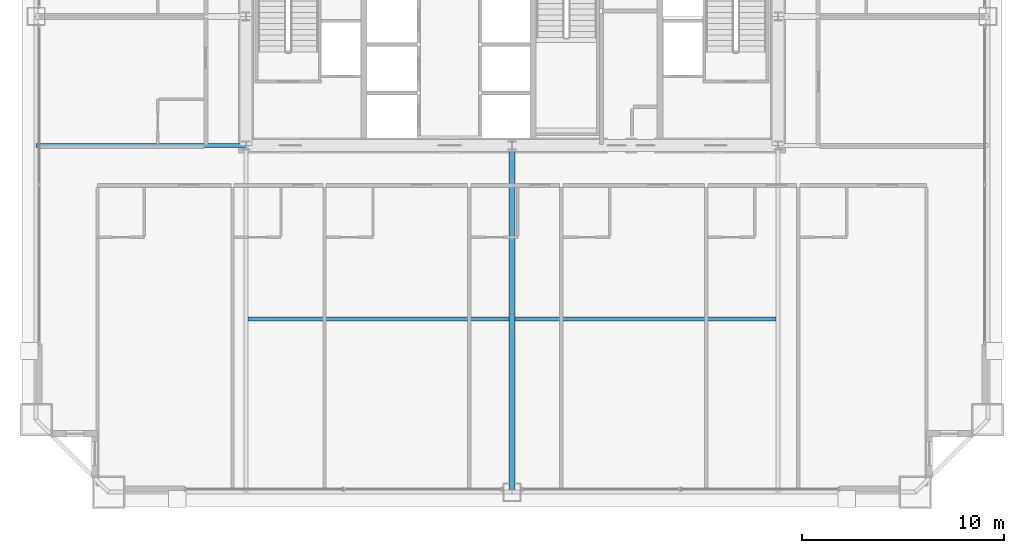
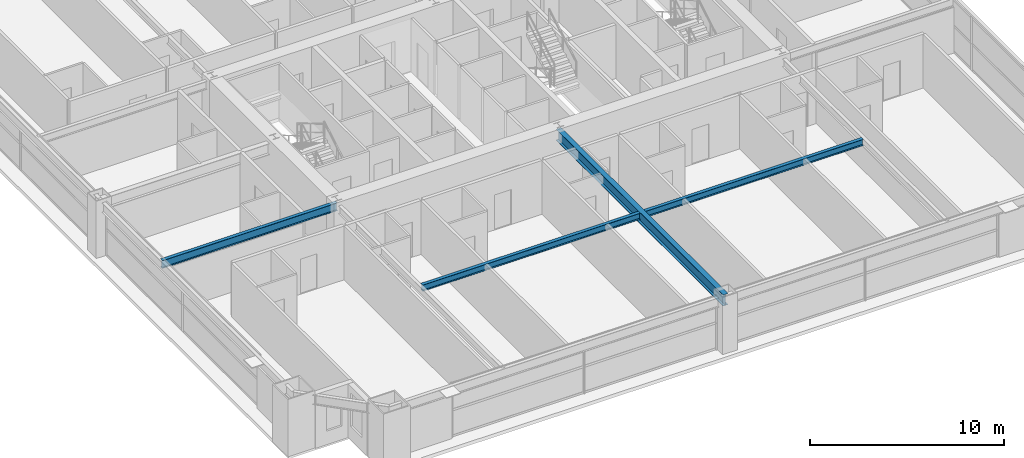
# One storey, part 10 of 38: 4 beams.
"""IFC4 building model written with IfcOpenShell, lengths in metres."""

import ifcopenshell
import ifcopenshell.guid

model = None  # the IFC model being written
_history = None  # IfcOwnerHistory: only IFC2X3 demands one
_inside = {}  # id of a spatial element -> (the spatial element, [elements in it])
_under = {}  # id of a project, library or spatial element -> (it, [spatial elements below it])
_declared = {}  # id of a project -> (the project, [libraries it declares])
_typed = {}  # id of a type object -> (the type object, [elements of that type])
_made_of = {}  # id of a material, layer set ... -> (it, [elements and type objects made of it])


def new_model(schema):
    """Start an empty IFC model of exactly this schema.

    Asked for "IFC4X3", IfcOpenShell would pick the latest addendum, in which some entities
    have other attributes; the version numbers below select the first issue.
    IFC2X3 requires an IfcOwnerHistory on every rooted entity: one is made here for all.
    """
    global model, _history
    if schema == "IFC4X3":
        model = ifcopenshell.file(schema_version=(4, 3, 0, 0))
    else:
        model = ifcopenshell.file(schema=schema)
    _inside.clear()
    _under.clear()
    _declared.clear()
    _typed.clear()
    _made_of.clear()
    _history = None
    if model.schema == "IFC2X3":
        org = make("IfcOrganization", Name="unknown")
        user = make(
            "IfcPersonAndOrganization",
            ThePerson=make("IfcPerson", FamilyName="unknown"),
            TheOrganization=org,
        )
        app = make(
            "IfcApplication",
            ApplicationDeveloper=org,
            Version="unknown",
            ApplicationFullName="unknown",
            ApplicationIdentifier="unknown",
        )
        _history = make(
            "IfcOwnerHistory",
            OwningUser=user,
            OwningApplication=app,
            ChangeAction="ADDED",
            CreationDate=0,
        )
    return model


def make(cls, **values):
    """One entity of the class cls with the attributes given. An attribute that is None is left unset."""
    return model.create_entity(
        cls, **{name: value for name, value in values.items() if value is not None}
    )


def rooted(cls, **values):
    """An entity with a GlobalId (a new one), such as an element, a storey or a relation."""
    return make(cls, GlobalId=ifcopenshell.guid.new(), OwnerHistory=_history, **values)


def si_unit(unit_type, name, prefix=None):
    """IfcSIUnit, for example si_unit("LENGTHUNIT", "METRE", prefix="MILLI")."""
    return make("IfcSIUnit", UnitType=unit_type, Prefix=prefix, Name=name)


def assignment(units):
    """IfcUnitAssignment: the units of a project."""
    return None if units is None else make("IfcUnitAssignment", Units=units)


def point(xyz):
    """IfcCartesianPoint."""
    return None if xyz is None else make("IfcCartesianPoint", Coordinates=xyz)


def direction(xyz):
    """IfcDirection."""
    return None if xyz is None else make("IfcDirection", DirectionRatios=xyz)


def frame(location, z_axis=None, x_axis=None):
    """IfcAxis2Placement3D, a coordinate frame: its origin and axes. An axis left out is left unset."""
    return make(
        "IfcAxis2Placement3D",
        Location=point(location),
        Axis=direction(z_axis),
        RefDirection=direction(x_axis),
    )


def frame_2d(location, x_axis=None):
    """IfcAxis2Placement2D, a coordinate frame in the plane: its origin and x axis."""
    return make(
        "IfcAxis2Placement2D", Location=point(location), RefDirection=direction(x_axis)
    )


def origin():
    """The frame at (0, 0, 0) with its axes left unset."""
    return frame((0.0, 0.0, 0.0))


def origin_2d():
    """The frame at (0, 0) in the plane with its x axis left unset."""
    return frame_2d((0.0, 0.0))


def place(relative_to, where):
    """IfcLocalPlacement: puts the frame where relative to a parent placement (None: the world)."""
    return make(
        "IfcLocalPlacement", PlacementRelTo=relative_to, RelativePlacement=where
    )


def context(
    kind, dimensions, precision=None, world=None, true_north=None, identifier=None
):
    """IfcGeometricRepresentationContext, for example the 3D "Model" context."""
    return make(
        "IfcGeometricRepresentationContext",
        ContextIdentifier=identifier,
        ContextType=kind,
        CoordinateSpaceDimension=dimensions,
        Precision=precision,
        WorldCoordinateSystem=world,
        TrueNorth=true_north,
    )


def subcontext(parent, identifier, kind, view, scale=None):
    """IfcGeometricRepresentationSubContext, for example "Body" below "Model"."""
    return make(
        "IfcGeometricRepresentationSubContext",
        ContextIdentifier=identifier,
        ContextType=kind,
        ParentContext=parent,
        TargetScale=scale,
        TargetView=view,
    )


def project(units=None, contexts=None):
    """IfcProject with its units and contexts."""
    return rooted(
        "IfcProject",
        Name="project",
        RepresentationContexts=contexts,
        UnitsInContext=assignment(units),
    )


def spatial(cls, under=None, at=None, **own):
    """A site, building, storey or space (cls), placed at a placement, below another one or the project."""
    s = rooted(cls, ObjectPlacement=at, **own)
    if under is not None:
        _under.setdefault(under.id(), (under, []))[1].append(s)
    return s


def profile(cls, at=None, kind="AREA", **sizes):
    """A parametric profile (cls). Its sizes go by their IFC names, for example OverallWidth=200.0."""
    return make(cls, ProfileType=kind, Position=at, **sizes)


def i_section(**sizes):
    """IfcIShapeProfileDef."""
    return profile("IfcIShapeProfileDef", **sizes)


def extrude(swept, where, along, depth):
    """IfcExtrudedAreaSolid: the profile swept, set in the frame where, extruded along a direction by depth."""
    return make(
        "IfcExtrudedAreaSolid",
        SweptArea=swept,
        Position=where,
        ExtrudedDirection=direction(along),
        Depth=depth,
    )


def shape(context_of_items, identifier, shape_type, items):
    """IfcShapeRepresentation: the items that make up one representation, for example the "Body"."""
    return make(
        "IfcShapeRepresentation",
        ContextOfItems=context_of_items,
        RepresentationIdentifier=identifier,
        RepresentationType=shape_type,
        Items=items,
    )


def source(mapping_origin, context_of_items, identifier, shape_type, items):
    """IfcRepresentationMap: a shape defined once, which mapped items show again and again."""
    return make(
        "IfcRepresentationMap",
        MappingOrigin=mapping_origin,
        MappedRepresentation=shape(context_of_items, identifier, shape_type, items),
    )


def transform(
    local_origin,
    x_axis=None,
    y_axis=None,
    z_axis=None,
    scale=None,
    scale2=None,
    scale3=None,
    uniform=True,
):
    """IfcCartesianTransformationOperator3D, or its non-uniform kind. x_axis, y_axis, z_axis: its Axis1, 2, 3."""
    if uniform:
        return make(
            "IfcCartesianTransformationOperator3D",
            Axis1=direction(x_axis),
            Axis2=direction(y_axis),
            LocalOrigin=point(local_origin),
            Scale=scale,
            Axis3=direction(z_axis),
        )
    return make(
        "IfcCartesianTransformationOperator3DnonUniform",
        Axis1=direction(x_axis),
        Axis2=direction(y_axis),
        LocalOrigin=point(local_origin),
        Scale=scale,
        Axis3=direction(z_axis),
        Scale2=scale2,
        Scale3=scale3,
    )


def mapped(mapping_source, mapping_target):
    """IfcMappedItem: shows the shape of a source again, moved by a transform."""
    return make(
        "IfcMappedItem", MappingSource=mapping_source, MappingTarget=mapping_target
    )


def material(Name=None, Category=None):
    """IfcMaterial."""
    return make("IfcMaterial", Name=Name, Category=Category)


def material_profile(
    of_material, cross_section, Name=None, Category=None, Priority=None
):
    """IfcMaterialProfile: a cross section and its material."""
    return make(
        "IfcMaterialProfile",
        Name=Name,
        Material=of_material,
        Profile=cross_section,
        Priority=Priority,
        Category=Category,
    )


def profile_set(profiles, Name=None, composite=None):
    """IfcMaterialProfileSet."""
    return make(
        "IfcMaterialProfileSet",
        Name=Name,
        MaterialProfiles=profiles,
        CompositeProfile=composite,
    )


def made_of(thing, what):
    """Note that an element or type object is made of a material, layer set ...; save() writes the relation."""
    if what is not None:
        _made_of.setdefault(what.id(), (what, []))[1].append(thing)
    return thing


def type_object(cls, material=None, **own):
    """A type object (cls), such as IfcWallType, which elements share."""
    return made_of(rooted(cls, **own), material)


def element(
    cls,
    number,
    at=None,
    inside=None,
    cuts=None,
    type_object=None,
    material=None,
    context=None,
    identifier="Body",
    shape_type=None,
    held_by="IfcProductDefinitionShape",
    body=None,
    shapes=None,
    **own,
):
    """One element of the class cls, such as IfcWall. Its Tag is "e" and its number.

    at: its placement. inside: the storey or other place that contains it. cuts: it is an
    opening in that element (IfcRelVoidsElement). A single representation is given by context,
    identifier, shape_type and body (its items); several are given by shapes. held_by: the class
    of the entity that holds the representations. save() writes the other relations.
    """
    e = rooted(cls, Tag="e%d" % number, ObjectPlacement=at, **own)
    if body is not None:
        shapes = [shape(context, identifier, shape_type, body)]
    if shapes is not None:
        e.Representation = make(held_by, Representations=shapes)
    if inside is not None:
        _inside.setdefault(inside.id(), (inside, []))[1].append(e)
    if cuts is not None:
        rooted(
            "IfcRelVoidsElement", RelatingBuildingElement=cuts, RelatedOpeningElement=e
        )
    if type_object is not None:
        _typed.setdefault(type_object.id(), (type_object, []))[1].append(e)
    return made_of(e, material)


def aggregate(whole, parts):
    """IfcRelAggregates: a whole, such as a stair, and the parts it consists of."""
    return rooted("IfcRelAggregates", RelatingObject=whole, RelatedObjects=parts)


def save(model, path):
    """Write the relations noted so far, then the file.

    IfcRelAggregates (storeys below a building ...), IfcRelContainedInSpatialStructure (elements
    in a storey), IfcRelDefinesByType, IfcRelAssociatesMaterial and IfcRelDeclares: one each for
    every whole, place, type object, material and project.
    """
    for whole, parts in _under.values():
        aggregate(whole, parts)
    for where, things in _inside.values():
        rooted(
            "IfcRelContainedInSpatialStructure",
            RelatedElements=things,
            RelatingStructure=where,
        )
    for kind, things in _typed.values():
        rooted("IfcRelDefinesByType", RelatedObjects=things, RelatingType=kind)
    for what, things in _made_of.values():
        rooted("IfcRelAssociatesMaterial", RelatedObjects=things, RelatingMaterial=what)
    for by, libraries in _declared.values():
        rooted("IfcRelDeclares", RelatingContext=by, RelatedDefinitions=libraries)
    model.write(path)


model = new_model("IFC4")

# Units and contexts
model_context = context("Model", 3, precision=1e-05, world=origin(), true_north=direction((0.0, 1.0)))
body_context = subcontext(model_context, "Body", "Model", "MODEL_VIEW")
ifc_project = project(units=[si_unit("LENGTHUNIT", "METRE"), si_unit("AREAUNIT", "SQUARE_METRE"), si_unit("VOLUMEUNIT", "CUBIC_METRE"), si_unit("PLANEANGLEUNIT", "RADIAN"), si_unit("MASSUNIT", "GRAM", prefix="KILO"), si_unit("THERMODYNAMICTEMPERATUREUNIT", "KELVIN"), si_unit("POWERUNIT", "WATT")], contexts=[model_context])

# Site, building, storey
site_placement = place(None, origin())
site = spatial("IfcSite", under=ifc_project, at=site_placement, CompositionType="ELEMENT")
building_placement = place(site_placement, origin())
building = spatial("IfcBuilding", under=site, at=building_placement, Name="Yuzanri Waterfront Tower", CompositionType="ELEMENT")
storey_placement = place(building_placement, frame((0.0, 0.0, 90.199951171875)))
storey = spatial("IfcBuildingStorey", under=building, at=storey_placement, Name="L23", CompositionType="ELEMENT", Elevation=90.199951171875)

# Beams
ifc_material_1 = material(Name="Steel Q355B", Category="steel")
ifc_material_profile_1 = material_profile(ifc_material_1, i_section(OverallWidth=0.199951171875, OverallDepth=0.39990234375, WebThickness=0.008056640625, FlangeThickness=0.012939453125, at=origin_2d()), Name="HN 400x200x8x13")
ifc_profile_set_1 = profile_set([ifc_material_profile_1], Name="Steel Q355B")
beam_type_1 = type_object("IfcBeamType", Name="Floor Joist Q355B HN 400x200", PredefinedType="JOIST", material=ifc_profile_set_1)
shared_shape_1 = source(origin(), body_context, "Body", "SweptSolid", [
    extrude(i_section(OverallWidth=0.199951171875, OverallDepth=0.39990234375, WebThickness=0.008056640625, FlangeThickness=0.012939453125, at=origin_2d()), origin(), (0.0, 0.0, 1.0), 12.9501953125),
])
for number, where, z_axis, x_axis, name in (
    (1, (23.89990234375, 10.800048828125, 3.179931640625), (1.0, 0.0, 0.0), (0.0, 1.0, 0.0), "L23 South Bay Joist W"),
    (2, (37.14990234375, 10.800048828125, 3.179931640625), (1.0, 0.0, 0.0), (0.0, 1.0, 0.0), "L23 South Bay Joist E"),
):
    element("IfcBeam", number, at=place(storey_placement, frame(where, z_axis=z_axis, x_axis=x_axis)), inside=storey, type_object=beam_type_1, Name=name, PredefinedType="JOIST", context=body_context, shape_type="MappedRepresentation", body=[
        mapped(shared_shape_1, transform((0.0, 0.0, 0.0), scale=1.0)),
    ])
ifc_material_2 = material(Name="Steel Q355B", Category="steel")
ifc_material_profile_2 = material_profile(ifc_material_2, i_section(OverallWidth=0.300048828125, OverallDepth=0.699951171875, WebThickness=0.012939453125, FlangeThickness=0.02392578125, at=origin_2d()), Name="HN 700x300x13x24")
ifc_profile_set_2 = profile_set([ifc_material_profile_2], Name="Steel Q355B")
beam_type_2 = type_object("IfcBeamType", Name="Primary Floor Girder Q355B HN 700x300", PredefinedType="BEAM", material=ifc_profile_set_2)
shared_shape_2 = source(origin(), body_context, "Body", "SweptSolid", [
    extrude(i_section(OverallWidth=0.300048828125, OverallDepth=0.699951171875, WebThickness=0.012939453125, FlangeThickness=0.02392578125, at=origin_2d()), origin(), (0.0, 0.0, 1.0), 17.199951171875),
])
beam_1_placement = place(storey_placement, frame((37.0, 19.39990234375, 3.030029296875), z_axis=(0.0, -1.0, 0.0), x_axis=(1.0, 0.0, 0.0)))
element("IfcBeam", 3, at=beam_1_placement, inside=storey, type_object=beam_type_2, Name="L23 South Grid Girder", PredefinedType="BEAM", context=body_context, shape_type="MappedRepresentation", body=[
    mapped(shared_shape_2, transform((0.0, 0.0, 0.0), scale=1.0)),
])
ifc_material_3 = material(Name="Steel Q355B", Category="steel")
ifc_material_profile_3 = material_profile(ifc_material_3, i_section(OverallWidth=0.199951171875, OverallDepth=0.5, WebThickness=0.010009765625, FlangeThickness=0.01611328125, at=origin_2d()), Name="HN 500x200x10x16")
ifc_profile_set_3 = profile_set([ifc_material_profile_3], Name="Steel Q355B")
beam_type_3 = type_object("IfcBeamType", Name="Secondary Floor Beam Q355B HN 500x200", PredefinedType="BEAM", material=ifc_profile_set_3)
shared_shape_3 = source(origin(), body_context, "Body", "SweptSolid", [
    extrude(i_section(OverallWidth=0.199951171875, OverallDepth=0.5, WebThickness=0.010009765625, FlangeThickness=0.01611328125, at=origin_2d()), origin(), (0.0, 0.0, 1.0), 10.400146484375),
])
beam_2_placement = place(storey_placement, frame((23.800048828125, 19.39990234375, 3.130126953125), z_axis=(-1.0, 0.0, 0.0), x_axis=(0.0, -1.0, 0.0)))
element("IfcBeam", 4, at=beam_2_placement, inside=storey, type_object=beam_type_3, Name="L23 West-South Core Line Beam", PredefinedType="BEAM", context=body_context, shape_type="MappedRepresentation", body=[
    mapped(shared_shape_3, transform((0.0, 0.0, 0.0), scale=1.0)),
])

save(model, "model.ifc")
